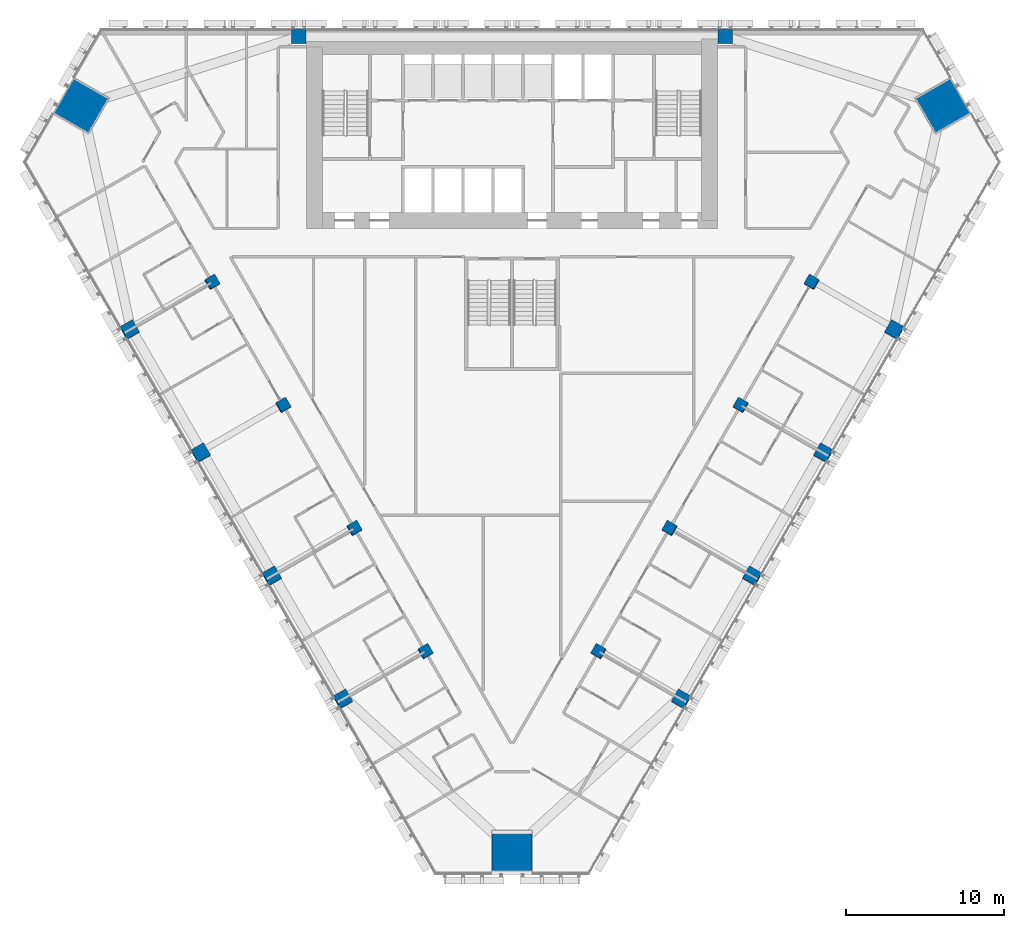
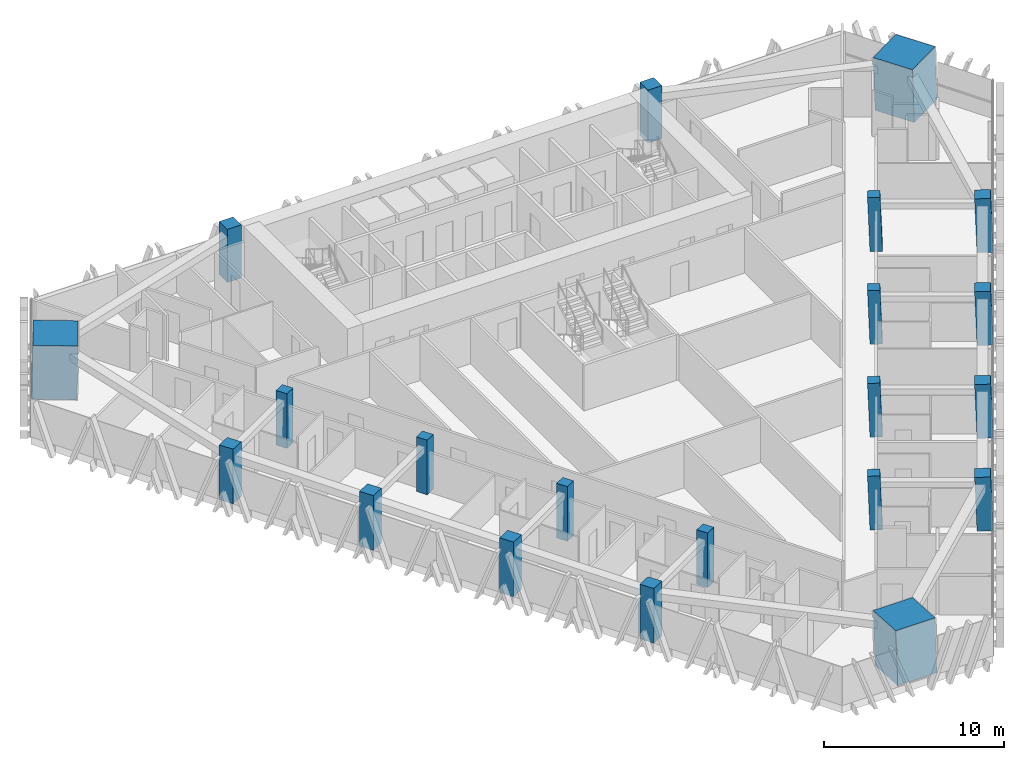
# One storey, part 1 of 18: 21 columns.
"""IFC4 building model written with IfcOpenShell, lengths in metres."""

from ifc_helpers import new_model, si_unit, direction, frame, origin, origin_2d, place, context, subcontext, project, spatial, rectangle, extrude, material, material_profile, profile_set, type_object, element, save


model = new_model("IFC4")

# Units and contexts
model_context = context("Model", 3, precision=1e-05, world=origin(), true_north=direction((0.0, 1.0)))
body_context = subcontext(model_context, "Body", "Model", "MODEL_VIEW")
ifc_project = project(units=[si_unit("LENGTHUNIT", "METRE"), si_unit("AREAUNIT", "SQUARE_METRE"), si_unit("VOLUMEUNIT", "CUBIC_METRE"), si_unit("PLANEANGLEUNIT", "RADIAN"), si_unit("MASSUNIT", "GRAM", prefix="KILO")], contexts=[model_context])

# Site, building, storey
site_placement = place(None, origin())
site = spatial("IfcSite", under=ifc_project, at=site_placement, CompositionType="ELEMENT")
building_placement = place(site_placement, origin())
building = spatial("IfcBuilding", under=site, at=building_placement, Name="Altiplano Prism Tower", CompositionType="ELEMENT")
storey_placement = place(building_placement, frame((0.0, 0.0, 41.39990234375)))
storey = spatial("IfcBuildingStorey", under=building, at=storey_placement, Name="L09", CompositionType="ELEMENT", Elevation=41.39990234375)

# Columns
ifc_material_1 = material(Name="Concrete C60/75", Category="concrete")
ifc_material_profile_1 = material_profile(ifc_material_1, rectangle(XDim=0.699951171875, YDim=0.699951171875, at=origin_2d()), Name="Inner column 700")
ifc_profile_set_1 = profile_set([ifc_material_profile_1], Name="Concrete C60/75")
column_type_1 = type_object("IfcColumnType", Name="Inner column 700", PredefinedType="COLUMN", material=ifc_profile_set_1)
for number, where, z_axis, x_axis, name in (
    (1, (66.01220703125, 88.99462890625, -0.021240234375), (0.022153634206, 0.038480930364, 0.999013730882), (-0.864982414942, -0.500326646225, 0.038453464312), "Inner column I11 L09"),
    (2, (70.51220703125, 81.200439453125, -0.021240234375), (0.022153634206, 0.038480930364, 0.999013730882), (-0.864982441191, -0.500326600935, 0.038453463149), "Inner column I12 L09"),
    (3, (75.01220703125, 73.40625, -0.021240234375), (0.02215369191, 0.038413282303, 0.999016333038), (-0.865364653098, -0.4996691381, 0.03840272907), "Inner column I13 L09"),
    (4, (79.51220703125, 65.612060546875, -0.021240234375), (0.02215369191, 0.038413282303, 0.999016333038), (-0.865364661836, -0.499669122996, 0.038402728683), "Inner column I14 L09"),
    (5, (90.48779296875, 65.612060546875, -0.021240234375), (-0.02215369191, 0.038413282303, 0.999016333038), (-0.500652789846, -0.865364193428, 0.022171981242), "Inner column I21 L09"),
    (6, (94.98779296875, 73.40625, -0.021240234375), (-0.02215369191, 0.038413282303, 0.999016333038), (-0.50065280495, -0.865364184707, 0.022171980572), "Inner column I22 L09"),
    (7, (99.48779296875, 81.200439453125, -0.021240234375), (-0.022153634206, 0.038480930364, 0.999013730882), (-0.501312869297, -0.864981219678, 0.022201276585), "Inner column I23 L09"),
    (8, (103.98779296875, 88.99462890625, -0.021240234375), (-0.022153634206, 0.038480930364, 0.999013730882), (-0.501312884394, -0.864981210945, 0.022201275913), "Inner column I24 L09"),
):
    element("IfcColumn", number, at=place(storey_placement, frame(where, z_axis=z_axis, x_axis=x_axis)), inside=storey, type_object=column_type_1, Name=name, PredefinedType="COLUMN", context=body_context, shape_type="SweptSolid", body=[
        extrude(rectangle(XDim=0.699951171875, YDim=0.699951171875, at=origin_2d()), origin(), (0.0, 0.0, 1.0), 3.603759765625),
    ])
ifc_material_2 = material(Name="Concrete C70/85", Category="concrete")
ifc_material_profile_2 = material_profile(ifc_material_2, rectangle(XDim=2.52001953125, YDim=2.52001953125, at=origin_2d()), Name="Mega column infill 2600")
ifc_profile_set_2 = profile_set([ifc_material_profile_2], Name="Concrete C70/85")
column_type_2 = type_object("IfcColumnType", Name="Mega column infill 2600", PredefinedType="COLUMN", material=ifc_profile_set_2)
column_1_placement = place(storey_placement, frame((57.661865234375, 100.153076171875, 0.0), z_axis=(0.028334066552, 0.009286524205, 0.999555371723), x_axis=(-0.86655567717, 0.498682281887, 0.019930882981)))
element("IfcColumn", 9, at=column_1_placement, inside=storey, type_object=column_type_2, Name="Mega column M0 L09", PredefinedType="COLUMN", context=body_context, shape_type="SweptSolid", body=[
    extrude(rectangle(XDim=2.52001953125, YDim=2.52001953125, at=origin_2d()), origin(), (0.0, 0.0, 1.0), 3.601806640625),
])
column_2_placement = place(storey_placement, frame((85.0, 52.802001953125, 0.0), z_axis=(0.0, 0.058356907999, 0.998295783467), x_axis=(-1.0, 0.0, 0.0)))
element("IfcColumn", 10, at=column_2_placement, inside=storey, type_object=column_type_2, Name="Mega column M1 L09", PredefinedType="COLUMN", context=body_context, shape_type="SweptSolid", body=[
    extrude(rectangle(XDim=2.52001953125, YDim=2.52001953125, at=origin_2d()), origin(), (0.0, 0.0, 1.0), 3.606201171875),
])
column_3_placement = place(storey_placement, frame((112.338134765625, 100.153076171875, 0.0), z_axis=(-0.028334066552, 0.009286524205, 0.999555371723), x_axis=(0.498272969513, -0.866736541076, 0.022176929837)))
element("IfcColumn", 11, at=column_3_placement, inside=storey, type_object=column_type_2, Name="Mega column M2 L09", PredefinedType="COLUMN", context=body_context, shape_type="SweptSolid", body=[
    extrude(rectangle(XDim=2.52001953125, YDim=2.52001953125, at=origin_2d()), origin(), (0.0, 0.0, 1.0), 3.601806640625),
])
ifc_material_profile_3 = material_profile(ifc_material_1, rectangle(XDim=0.89990234375, YDim=0.89990234375, at=origin_2d()), Name="Perimeter column 900")
ifc_profile_set_3 = profile_set([ifc_material_profile_3], Name="Concrete C60/75")
column_type_3 = type_object("IfcColumnType", Name="Perimeter column 900", PredefinedType="COLUMN", material=ifc_profile_set_3)
for number, where, z_axis, x_axis, name in (
    (12, (98.5, 104.550048828125, 0.0), (0.0, 0.0, 1.0), (1.0, 0.0, 0.0), "Perimeter column P01 L09"),
    (13, (71.5, 104.550048828125, 0.0), (0.0, 0.0, 1.0), (1.0, 0.0, 0.0), "Perimeter column P04 L09"),
):
    element("IfcColumn", number, at=place(storey_placement, frame(where, z_axis=z_axis, x_axis=x_axis)), inside=storey, type_object=column_type_3, Name=name, PredefinedType="COLUMN", context=body_context, shape_type="SweptSolid", body=[
        extrude(rectangle(XDim=0.89990234375, YDim=0.89990234375, at=origin_2d()), origin(), (0.0, 0.0, 1.0), 3.60009765625),
    ])
for number, where, z_axis, x_axis, name in (
    (14, (60.7724609375, 85.969482421875, -0.027099609375), (0.022222910879, 0.038415824599, 0.999014697916), (-0.866024016249, -0.498523002016, 0.038434616444), "Perimeter column P11 L09"),
    (15, (65.2724609375, 78.17529296875, -0.027099609375), (0.022222910879, 0.038415824599, 0.999014697916), (-0.866024024967, -0.498522986901, 0.038434616057), "Perimeter column P12 L09"),
    (16, (69.7724609375, 70.381103515625, -0.027099609375), (0.022222910879, 0.038415824599, 0.999014697916), (-0.866023998813, -0.498523032246, 0.038434617219), "Perimeter column P13 L09"),
    (17, (74.2724609375, 62.5869140625, -0.027099609375), (0.022222910879, 0.038415824599, 0.999014697916), (-0.866024007531, -0.498523017131, 0.038434616832), "Perimeter column P14 L09"),
    (18, (95.7275390625, 62.5869140625, -0.027099609375), (-0.022222910879, 0.038415824599, 0.999014697916), (-0.499508318862, -0.866024841336, 0.022190393791), "Perimeter column P21 L09"),
    (19, (100.2275390625, 70.381103515625, -0.027099609375), (-0.022222910879, 0.038415824599, 0.999014697916), (-0.499508333977, -0.866024832635, 0.02219039312), "Perimeter column P22 L09"),
    (20, (104.7275390625, 78.17529296875, -0.027099609375), (-0.022222910879, 0.038415824599, 0.999014697916), (-0.499508288632, -0.866024858738, 0.022190395133), "Perimeter column P23 L09"),
    (21, (109.2275390625, 85.969482421875, -0.027099609375), (-0.022222910879, 0.038415824599, 0.999014697916), (-0.499508303747, -0.866024850037, 0.022190394462), "Perimeter column P24 L09"),
):
    element("IfcColumn", number, at=place(storey_placement, frame(where, z_axis=z_axis, x_axis=x_axis)), inside=storey, type_object=column_type_3, Name=name, PredefinedType="COLUMN", context=body_context, shape_type="SweptSolid", body=[
        extrude(rectangle(XDim=0.89990234375, YDim=0.89990234375, at=origin_2d()), origin(), (0.0, 0.0, 1.0), 3.603515625),
    ])

save(model, "model.ifc")
